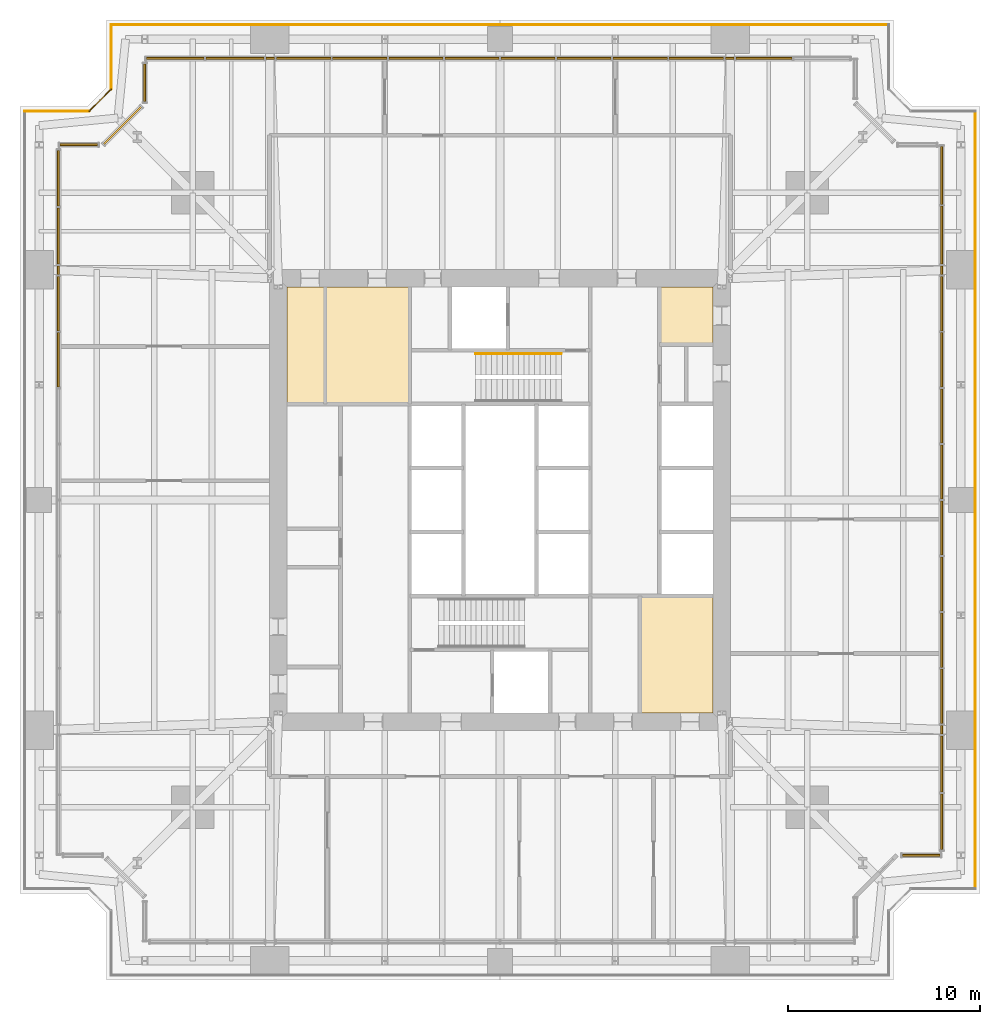
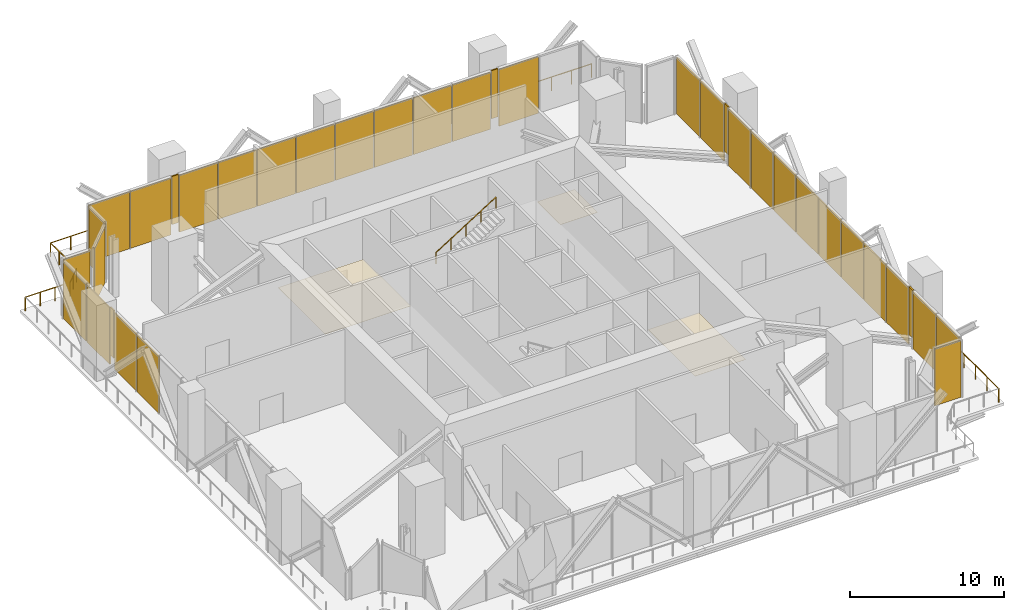
# One storey, part 13 of 14: 36 shading devices, 6 railings, 4 coverings, 12 elements without a shape of their own.
"""IFC4 building model written with IfcOpenShell, lengths in metres."""

from ifc_helpers import new_model, si_unit, direction, frame, origin, origin_2d, place, context, subcontext, project, spatial, polyline, rectangle, circle, outline, extrude, material, layer, layer_set, type_object, element, aggregate, save


model = new_model("IFC4")

# Units and contexts
model_context = context("Model", 3, precision=1e-05, world=origin(), true_north=direction((0.0, 1.0)))
body_context = subcontext(model_context, "Body", "Model", "MODEL_VIEW")
ifc_project = project(units=[si_unit("LENGTHUNIT", "METRE"), si_unit("AREAUNIT", "SQUARE_METRE"), si_unit("VOLUMEUNIT", "CUBIC_METRE"), si_unit("PLANEANGLEUNIT", "RADIAN"), si_unit("MASSUNIT", "GRAM", prefix="KILO")], contexts=[model_context])

# Site, building, storey
site_placement = place(None, origin())
site = spatial("IfcSite", under=ifc_project, at=site_placement, CompositionType="ELEMENT")
building_placement = place(site_placement, origin())
building = spatial("IfcBuilding", under=site, at=building_placement, Name="Fenwick Lantern Interchange", CompositionType="ELEMENT")
storey_placement = place(building_placement, frame((0.0, 0.0, 162.39990234375)))
storey = spatial("IfcBuildingStorey", under=building, at=storey_placement, Name="L38", CompositionType="ELEMENT", Elevation=162.39990234375)

# Railings
ifc_material_1 = material(Name="Stainless steel handrail", Category="steel")
railing_type_1 = type_object("IfcRailingType", Name="HANDRAIL 900", PredefinedType="HANDRAIL", material=ifc_material_1)
railing_1_placement = place(storey_placement, frame((23.719970703125, 32.6259765625, 3.176513671875)))
element("IfcRailing", 1, at=railing_1_placement, inside=storey, type_object=railing_type_1, Name="L38/STAIR/ST2/HR2", PredefinedType="HANDRAIL", context=body_context, shape_type="SweptSolid", body=[
    extrude(circle(Radius=0.02392578125, at=origin_2d()), frame((0.0, 0.0, 0.8759765625), z_axis=(0.845997938375, 0.0, 0.533186166611), x_axis=(0.0, 1.0, 0.0)), (0.0, 0.0, 1.0), 5.29541015625),
    extrude(circle(Radius=0.02099609375, at=origin_2d()), origin(), (0.0, 0.0, 1.0), 0.851806640625),
    extrude(circle(Radius=0.02099609375, at=origin_2d()), frame((1.1201171875, 0.0, 0.705810546875)), (0.0, 0.0, 1.0), 0.851806640625),
    extrude(circle(Radius=0.02099609375, at=origin_2d()), frame((2.239990234375, 0.0, 1.41162109375)), (0.0, 0.0, 1.0), 0.851806640625),
    extrude(circle(Radius=0.02099609375, at=origin_2d()), frame((3.35986328125, 0.0, 2.11767578125)), (0.0, 0.0, 1.0), 0.851806640625),
    extrude(circle(Radius=0.02099609375, at=origin_2d()), frame((4.47998046875, 0.0, 2.823486328125)), (0.0, 0.0, 1.0), 0.851806640625),
])
ifc_material_2 = material(Name="Galvanised steel guard", Category="steel")
railing_type_2 = type_object("IfcRailingType", Name="MAINTENANCE LEDGE GUARD 1100", PredefinedType="GUARDRAIL", material=ifc_material_2)
railing_2_placement = place(storey_placement, frame((49.75, 4.75, 0.0)))
element("IfcRailing", 2, at=railing_2_placement, inside=storey, type_object=railing_type_2, Name="L38/GR/LEDGE05", PredefinedType="GUARDRAIL", context=body_context, shape_type="SweptSolid", body=[
    extrude(circle(Radius=0.02392578125, at=origin_2d()), frame((0.0, 0.0, 1.076171875), z_axis=(0.0, 1.0, 0.0), x_axis=(-1.0, 0.0, 0.0)), (0.0, 0.0, 1.0), 40.5),
    extrude(circle(Radius=0.02099609375, at=origin_2d()), origin(), (0.0, 0.0, 1.0), 1.052001953125),
    extrude(circle(Radius=0.02099609375, at=origin_2d()), frame((0.0, 1.5, 0.0)), (0.0, 0.0, 1.0), 1.052001953125),
    extrude(circle(Radius=0.02099609375, at=origin_2d()), frame((0.0, 3.0, 0.0)), (0.0, 0.0, 1.0), 1.052001953125),
    extrude(circle(Radius=0.02099609375, at=origin_2d()), frame((0.0, 4.5, 0.0)), (0.0, 0.0, 1.0), 1.052001953125),
    extrude(circle(Radius=0.02099609375, at=origin_2d()), frame((0.0, 6.0, 0.0)), (0.0, 0.0, 1.0), 1.052001953125),
    extrude(circle(Radius=0.02099609375, at=origin_2d()), frame((0.0, 7.5, 0.0)), (0.0, 0.0, 1.0), 1.052001953125),
    extrude(circle(Radius=0.02099609375, at=origin_2d()), frame((0.0, 9.0, 0.0)), (0.0, 0.0, 1.0), 1.052001953125),
    extrude(circle(Radius=0.02099609375, at=origin_2d()), frame((0.0, 10.5, 0.0)), (0.0, 0.0, 1.0), 1.052001953125),
    extrude(circle(Radius=0.02099609375, at=origin_2d()), frame((0.0, 12.0, 0.0)), (0.0, 0.0, 1.0), 1.052001953125),
    extrude(circle(Radius=0.02099609375, at=origin_2d()), frame((0.0, 13.5, 0.0)), (0.0, 0.0, 1.0), 1.052001953125),
    extrude(circle(Radius=0.02099609375, at=origin_2d()), frame((0.0, 15.0, 0.0)), (0.0, 0.0, 1.0), 1.052001953125),
    extrude(circle(Radius=0.02099609375, at=origin_2d()), frame((0.0, 16.5, 0.0)), (0.0, 0.0, 1.0), 1.052001953125),
    extrude(circle(Radius=0.02099609375, at=origin_2d()), frame((0.0, 18.0, 0.0)), (0.0, 0.0, 1.0), 1.052001953125),
    extrude(circle(Radius=0.02099609375, at=origin_2d()), frame((0.0, 19.5, 0.0)), (0.0, 0.0, 1.0), 1.052001953125),
    extrude(circle(Radius=0.02099609375, at=origin_2d()), frame((0.0, 21.0, 0.0)), (0.0, 0.0, 1.0), 1.052001953125),
    extrude(circle(Radius=0.02099609375, at=origin_2d()), frame((0.0, 22.5, 0.0)), (0.0, 0.0, 1.0), 1.052001953125),
    extrude(circle(Radius=0.02099609375, at=origin_2d()), frame((0.0, 24.0, 0.0)), (0.0, 0.0, 1.0), 1.052001953125),
    extrude(circle(Radius=0.02099609375, at=origin_2d()), frame((0.0, 25.5, 0.0)), (0.0, 0.0, 1.0), 1.052001953125),
    extrude(circle(Radius=0.02099609375, at=origin_2d()), frame((0.0, 27.0, 0.0)), (0.0, 0.0, 1.0), 1.052001953125),
    extrude(circle(Radius=0.02099609375, at=origin_2d()), frame((0.0, 28.5, 0.0)), (0.0, 0.0, 1.0), 1.052001953125),
    extrude(circle(Radius=0.02099609375, at=origin_2d()), frame((0.0, 30.0, 0.0)), (0.0, 0.0, 1.0), 1.052001953125),
    extrude(circle(Radius=0.02099609375, at=origin_2d()), frame((0.0, 31.5, 0.0)), (0.0, 0.0, 1.0), 1.052001953125),
    extrude(circle(Radius=0.02099609375, at=origin_2d()), frame((0.0, 33.0, 0.0)), (0.0, 0.0, 1.0), 1.052001953125),
    extrude(circle(Radius=0.02099609375, at=origin_2d()), frame((0.0, 34.5, 0.0)), (0.0, 0.0, 1.0), 1.052001953125),
    extrude(circle(Radius=0.02099609375, at=origin_2d()), frame((0.0, 36.0, 0.0)), (0.0, 0.0, 1.0), 1.052001953125),
    extrude(circle(Radius=0.02099609375, at=origin_2d()), frame((0.0, 37.5, 0.0)), (0.0, 0.0, 1.0), 1.052001953125),
    extrude(circle(Radius=0.02099609375, at=origin_2d()), frame((0.0, 39.0, 0.0)), (0.0, 0.0, 1.0), 1.052001953125),
    extrude(circle(Radius=0.02099609375, at=origin_2d()), frame((0.0, 40.5, 0.0)), (0.0, 0.0, 1.0), 1.052001953125),
])
railing_3_placement = place(storey_placement, frame((45.25, 49.75, 0.0)))
element("IfcRailing", 3, at=railing_3_placement, inside=storey, type_object=railing_type_2, Name="L38/GR/LEDGE09", PredefinedType="GUARDRAIL", context=body_context, shape_type="SweptSolid", body=[
    extrude(circle(Radius=0.02392578125, at=origin_2d()), frame((0.0, 0.0, 1.076171875), z_axis=(-1.0, 0.0, 0.0), x_axis=(0.0, -1.0, 0.0)), (0.0, 0.0, 1.0), 40.5),
    extrude(circle(Radius=0.02099609375, at=origin_2d()), origin(), (0.0, 0.0, 1.0), 1.052001953125),
    extrude(circle(Radius=0.02099609375, at=origin_2d()), frame((-1.5, 0.0, 0.0)), (0.0, 0.0, 1.0), 1.052001953125),
    extrude(circle(Radius=0.02099609375, at=origin_2d()), frame((-3.0, 0.0, 0.0)), (0.0, 0.0, 1.0), 1.052001953125),
    extrude(circle(Radius=0.02099609375, at=origin_2d()), frame((-4.5, 0.0, 0.0)), (0.0, 0.0, 1.0), 1.052001953125),
    extrude(circle(Radius=0.02099609375, at=origin_2d()), frame((-6.0, 0.0, 0.0)), (0.0, 0.0, 1.0), 1.052001953125),
    extrude(circle(Radius=0.02099609375, at=origin_2d()), frame((-7.5, 0.0, 0.0)), (0.0, 0.0, 1.0), 1.052001953125),
    extrude(circle(Radius=0.02099609375, at=origin_2d()), frame((-9.0, 0.0, 0.0)), (0.0, 0.0, 1.0), 1.052001953125),
    extrude(circle(Radius=0.02099609375, at=origin_2d()), frame((-10.5, 0.0, 0.0)), (0.0, 0.0, 1.0), 1.052001953125),
    extrude(circle(Radius=0.02099609375, at=origin_2d()), frame((-12.0, 0.0, 0.0)), (0.0, 0.0, 1.0), 1.052001953125),
    extrude(circle(Radius=0.02099609375, at=origin_2d()), frame((-13.5, 0.0, 0.0)), (0.0, 0.0, 1.0), 1.052001953125),
    extrude(circle(Radius=0.02099609375, at=origin_2d()), frame((-15.0, 0.0, 0.0)), (0.0, 0.0, 1.0), 1.052001953125),
    extrude(circle(Radius=0.02099609375, at=origin_2d()), frame((-16.5, 0.0, 0.0)), (0.0, 0.0, 1.0), 1.052001953125),
    extrude(circle(Radius=0.02099609375, at=origin_2d()), frame((-18.0, 0.0, 0.0)), (0.0, 0.0, 1.0), 1.052001953125),
    extrude(circle(Radius=0.02099609375, at=origin_2d()), frame((-19.5, 0.0, 0.0)), (0.0, 0.0, 1.0), 1.052001953125),
    extrude(circle(Radius=0.02099609375, at=origin_2d()), frame((-21.0, 0.0, 0.0)), (0.0, 0.0, 1.0), 1.052001953125),
    extrude(circle(Radius=0.02099609375, at=origin_2d()), frame((-22.5, 0.0, 0.0)), (0.0, 0.0, 1.0), 1.052001953125),
    extrude(circle(Radius=0.02099609375, at=origin_2d()), frame((-24.0, 0.0, 0.0)), (0.0, 0.0, 1.0), 1.052001953125),
    extrude(circle(Radius=0.02099609375, at=origin_2d()), frame((-25.5, 0.0, 0.0)), (0.0, 0.0, 1.0), 1.052001953125),
    extrude(circle(Radius=0.02099609375, at=origin_2d()), frame((-27.0, 0.0, 0.0)), (0.0, 0.0, 1.0), 1.052001953125),
    extrude(circle(Radius=0.02099609375, at=origin_2d()), frame((-28.5, 0.0, 0.0)), (0.0, 0.0, 1.0), 1.052001953125),
    extrude(circle(Radius=0.02099609375, at=origin_2d()), frame((-30.0, 0.0, 0.0)), (0.0, 0.0, 1.0), 1.052001953125),
    extrude(circle(Radius=0.02099609375, at=origin_2d()), frame((-31.5, 0.0, 0.0)), (0.0, 0.0, 1.0), 1.052001953125),
    extrude(circle(Radius=0.02099609375, at=origin_2d()), frame((-33.0, 0.0, 0.0)), (0.0, 0.0, 1.0), 1.052001953125),
    extrude(circle(Radius=0.02099609375, at=origin_2d()), frame((-34.5, 0.0, 0.0)), (0.0, 0.0, 1.0), 1.052001953125),
    extrude(circle(Radius=0.02099609375, at=origin_2d()), frame((-36.0, 0.0, 0.0)), (0.0, 0.0, 1.0), 1.052001953125),
    extrude(circle(Radius=0.02099609375, at=origin_2d()), frame((-37.5, 0.0, 0.0)), (0.0, 0.0, 1.0), 1.052001953125),
    extrude(circle(Radius=0.02099609375, at=origin_2d()), frame((-39.0, 0.0, 0.0)), (0.0, 0.0, 1.0), 1.052001953125),
    extrude(circle(Radius=0.02099609375, at=origin_2d()), frame((-40.5, 0.0, 0.0)), (0.0, 0.0, 1.0), 1.052001953125),
])
railing_4_placement = place(storey_placement, frame((4.75, 49.75, 0.0)))
element("IfcRailing", 4, at=railing_4_placement, inside=storey, type_object=railing_type_2, Name="L38/GR/LEDGE10", PredefinedType="GUARDRAIL", context=body_context, shape_type="SweptSolid", body=[
    extrude(circle(Radius=0.02392578125, at=origin_2d()), frame((0.0, 0.0, 1.076171875), z_axis=(0.0, -1.0, 0.0), x_axis=(1.0, 0.0, 0.0)), (0.0, 0.0, 1.0), 3.353515625),
    extrude(circle(Radius=0.02099609375, at=origin_2d()), origin(), (0.0, 0.0, 1.0), 1.052001953125),
    extrude(circle(Radius=0.02099609375, at=origin_2d()), frame((0.0, -1.117919921875, 0.0)), (0.0, 0.0, 1.0), 1.052001953125),
    extrude(circle(Radius=0.02099609375, at=origin_2d()), frame((0.0, -2.235595703125, 0.0)), (0.0, 0.0, 1.0), 1.052001953125),
    extrude(circle(Radius=0.02099609375, at=origin_2d()), frame((0.0, -3.353515625, 0.0)), (0.0, 0.0, 1.0), 1.052001953125),
])
railing_5_placement = place(storey_placement, frame((4.75, 46.396484375, 0.0)))
element("IfcRailing", 5, at=railing_5_placement, inside=storey, type_object=railing_type_2, Name="L38/GR/LEDGE11", PredefinedType="GUARDRAIL", context=body_context, shape_type="SweptSolid", body=[
    extrude(circle(Radius=0.02392578125, at=origin_2d()), frame((0.0, 0.0, 1.076171875), z_axis=(-0.707106781187, -0.707106781187, 0.0), x_axis=(0.707106781187, -0.707106781187, 0.0)), (0.0, 0.0, 1.0), 1.621337890625),
    extrude(circle(Radius=0.02099609375, at=origin_2d()), origin(), (0.0, 0.0, 1.0), 1.052001953125),
    extrude(circle(Radius=0.02099609375, at=origin_2d()), frame((-0.5732421875, -0.5732421875, 0.0)), (0.0, 0.0, 1.0), 1.052001953125),
    extrude(circle(Radius=0.02099609375, at=origin_2d()), frame((-1.146484375, -1.146484375, 0.0)), (0.0, 0.0, 1.0), 1.052001953125),
])
railing_6_placement = place(storey_placement, frame((3.603515625, 45.25, 0.0)))
element("IfcRailing", 6, at=railing_6_placement, inside=storey, type_object=railing_type_2, Name="L38/GR/LEDGE12", PredefinedType="GUARDRAIL", context=body_context, shape_type="SweptSolid", body=[
    extrude(circle(Radius=0.02392578125, at=origin_2d()), frame((0.0, 0.0, 1.076171875), z_axis=(-1.0, 0.0, 0.0), x_axis=(0.0, -1.0, 0.0)), (0.0, 0.0, 1.0), 3.353515625),
    extrude(circle(Radius=0.02099609375, at=origin_2d()), origin(), (0.0, 0.0, 1.0), 1.052001953125),
    extrude(circle(Radius=0.02099609375, at=origin_2d()), frame((-1.117919921875, 0.0, 0.0)), (0.0, 0.0, 1.0), 1.052001953125),
    extrude(circle(Radius=0.02099609375, at=origin_2d()), frame((-2.235595703125, 0.0, 0.0)), (0.0, 0.0, 1.0), 1.052001953125),
    extrude(circle(Radius=0.02099609375, at=origin_2d()), frame((-3.353515625, 0.0, 0.0)), (0.0, 0.0, 1.0), 1.052001953125),
])

# Coverings
ifc_material_3 = material(Name="Moisture resistant gypsum board on suspended frame, painted")
ifc_layer_1 = layer(ifc_material_3, 0.014892578125)
ifc_layer_set_1 = layer_set([ifc_layer_1], Name="MOISTURE RESISTANT CEILING 15")
covering_type = type_object("IfcCoveringType", Name="MOISTURE RESISTANT CEILING 15", PredefinedType="CEILING", material=ifc_layer_set_1)
covering_1_placement = place(storey_placement, frame((0.0, 0.0, 2.60009765625)))
element("IfcCovering", 7, at=covering_1_placement, inside=storey, type_object=covering_type, Name="Women's WC ceiling", PredefinedType="CEILING", context=body_context, shape_type="SweptSolid", body=[
    extrude(outline(polyline([(32.300048828125, 13.89990234375), (36.10009765625, 13.89990234375), (36.10009765625, 20.0), (32.300048828125, 20.0), (32.300048828125, 13.89990234375)])), origin(), (0.0, 0.0, 1.0), 0.014892578125),
])
covering_2_placement = place(storey_placement, frame((0.0, 0.0, 2.60009765625)))
element("IfcCovering", 8, at=covering_2_placement, inside=storey, type_object=covering_type, Name="Women's WC ceiling", PredefinedType="CEILING", context=body_context, shape_type="SweptSolid", body=[
    extrude(outline(polyline([(20.300048828125, 36.10009765625), (15.89990234375, 36.10009765625), (15.89990234375, 30.0), (20.300048828125, 30.0), (20.300048828125, 36.10009765625)])), origin(), (0.0, 0.0, 1.0), 0.014892578125),
])
covering_3_placement = place(storey_placement, frame((0.0, 0.0, 2.60009765625)))
element("IfcCovering", 9, at=covering_3_placement, inside=storey, type_object=covering_type, Name="Men's WC ceiling", PredefinedType="CEILING", context=body_context, shape_type="SweptSolid", body=[
    extrude(outline(polyline([(15.89990234375, 36.10009765625), (13.89990234375, 36.10009765625), (13.89990234375, 30.0), (15.89990234375, 30.0), (15.89990234375, 36.10009765625)])), origin(), (0.0, 0.0, 1.0), 0.014892578125),
])
covering_4_placement = place(storey_placement, frame((0.0, 0.0, 2.60009765625)))
element("IfcCovering", 10, at=covering_4_placement, inside=storey, type_object=covering_type, Name="Accessible WC ceiling", PredefinedType="CEILING", context=body_context, shape_type="SweptSolid", body=[
    extrude(outline(polyline([(36.10009765625, 36.10009765625), (33.300048828125, 36.10009765625), (33.300048828125, 33.10009765625), (36.10009765625, 33.10009765625), (36.10009765625, 36.10009765625)])), origin(), (0.0, 0.0, 1.0), 0.014892578125),
])

# Curtain wall, shading device
ifc_material_4 = material(Name="Aluminium curtain wall frame", Category="aluminium")
curtain_wall_type = type_object("IfcCurtainWallType", Name="PLANT LOUVRE SCREEN", PredefinedType="USERDEFINED", material=ifc_material_4)
curtain_wall_1_placement = place(storey_placement, origin())
curtain_wall_1 = element("IfcCurtainWall", 11, at=curtain_wall_1_placement, inside=storey, type_object=curtain_wall_type, Name="Plant louvre screen 03", ObjectType="PLANT LOUVRE SCREEN", PredefinedType="USERDEFINED")
ifc_material_5 = material(Name="Louvre panel, anodised aluminium blades", Category="aluminium")
ifc_layer_2 = layer(ifc_material_5, 0.10009765625)
ifc_layer_set_2 = layer_set([ifc_layer_2], Name="PLANT LOUVRE SCREEN PANEL 100")
shading_device_type = type_object("IfcShadingDeviceType", Name="PLANT LOUVRE SCREEN PANEL 100", PredefinedType="SHUTTER", material=ifc_layer_set_2)
shading_device_1_placement = place(storey_placement, frame((46.935791015625, 6.5, 0.0), z_axis=(0.0, 0.0, 1.0), x_axis=(1.0, 0.0, 0.0)))
shading_device_1 = element("IfcShadingDevice", 12, at=shading_device_1_placement, type_object=shading_device_type, Name="L38/CW/03/P00", PredefinedType="SHUTTER", context=body_context, shape_type="SweptSolid", body=[
    extrude(rectangle(XDim=1.978515625, YDim=0.10009765625, at=origin_2d()), origin(), (0.0, 0.0, 1.0), 4.47998046875),
])
aggregate(curtain_wall_1, [shading_device_1])

# Curtain wall, shading devices
curtain_wall_2_placement = place(storey_placement, origin())
curtain_wall_2 = element("IfcCurtainWall", 13, at=curtain_wall_2_placement, inside=storey, type_object=curtain_wall_type, Name="Plant louvre screen 04A", ObjectType="PLANT LOUVRE SCREEN", PredefinedType="USERDEFINED")
shading_device_2_placement = place(storey_placement, frame((48.0, 8.24267578125, 0.0), z_axis=(0.0, 0.0, 1.0), x_axis=(0.0, 1.0, 0.0)))
shading_device_2 = element("IfcShadingDevice", 14, at=shading_device_2_placement, type_object=shading_device_type, Name="L38/CW/04A/P00", PredefinedType="SHUTTER", context=body_context, shape_type="SweptSolid", body=[
    extrude(rectangle(XDim=2.93505859375, YDim=0.10009765625, at=origin_2d()), origin(), (0.0, 0.0, 1.0), 4.47998046875),
])
shading_device_3_placement = place(storey_placement, frame((48.0, 11.252685546875, 0.0), z_axis=(0.0, 0.0, 1.0), x_axis=(0.0, 1.0, 0.0)))
shading_device_3 = element("IfcShadingDevice", 15, at=shading_device_3_placement, type_object=shading_device_type, Name="L38/CW/04A/P01", PredefinedType="SHUTTER", context=body_context, shape_type="SweptSolid", body=[
    extrude(rectangle(XDim=2.93505859375, YDim=0.10009765625, at=origin_2d()), origin(), (0.0, 0.0, 1.0), 4.47998046875),
])
aggregate(curtain_wall_2, [shading_device_2, shading_device_3])

curtain_wall_3_placement = place(storey_placement, origin())
curtain_wall_3 = element("IfcCurtainWall", 16, at=curtain_wall_3_placement, inside=storey, type_object=curtain_wall_type, Name="Plant louvre screen 04B", ObjectType="PLANT LOUVRE SCREEN", PredefinedType="USERDEFINED")
shading_device_4_placement = place(storey_placement, frame((48.0, 14.777587890625, 0.0), z_axis=(0.0, 0.0, 1.0), x_axis=(0.0, 1.0, 0.0)))
shading_device_4 = element("IfcShadingDevice", 17, at=shading_device_4_placement, type_object=shading_device_type, Name="L38/CW/04B/P00", PredefinedType="SHUTTER", context=body_context, shape_type="SweptSolid", body=[
    extrude(rectangle(XDim=2.845703125, YDim=0.10009765625, at=origin_2d()), origin(), (0.0, 0.0, 1.0), 4.47998046875),
])
shading_device_5_placement = place(storey_placement, frame((48.0, 17.6982421875, 0.0), z_axis=(0.0, 0.0, 1.0), x_axis=(0.0, 1.0, 0.0)))
shading_device_5 = element("IfcShadingDevice", 18, at=shading_device_5_placement, type_object=shading_device_type, Name="L38/CW/04B/P01", PredefinedType="SHUTTER", context=body_context, shape_type="SweptSolid", body=[
    extrude(rectangle(XDim=2.845703125, YDim=0.10009765625, at=origin_2d()), origin(), (0.0, 0.0, 1.0), 4.47998046875),
])
shading_device_6_placement = place(storey_placement, frame((48.0, 20.618896484375, 0.0), z_axis=(0.0, 0.0, 1.0), x_axis=(0.0, 1.0, 0.0)))
shading_device_6 = element("IfcShadingDevice", 19, at=shading_device_6_placement, type_object=shading_device_type, Name="L38/CW/04B/P02", PredefinedType="SHUTTER", context=body_context, shape_type="SweptSolid", body=[
    extrude(rectangle(XDim=2.845703125, YDim=0.10009765625, at=origin_2d()), origin(), (0.0, 0.0, 1.0), 4.47998046875),
])
shading_device_7_placement = place(storey_placement, frame((48.0, 23.53955078125, 0.0), z_axis=(0.0, 0.0, 1.0), x_axis=(0.0, 1.0, 0.0)))
shading_device_7 = element("IfcShadingDevice", 20, at=shading_device_7_placement, type_object=shading_device_type, Name="L38/CW/04B/P03", PredefinedType="SHUTTER", context=body_context, shape_type="SweptSolid", body=[
    extrude(rectangle(XDim=2.845703125, YDim=0.10009765625, at=origin_2d()), origin(), (0.0, 0.0, 1.0), 4.47998046875),
])
shading_device_8_placement = place(storey_placement, frame((48.0, 26.46044921875, 0.0), z_axis=(0.0, 0.0, 1.0), x_axis=(0.0, 1.0, 0.0)))
shading_device_8 = element("IfcShadingDevice", 21, at=shading_device_8_placement, type_object=shading_device_type, Name="L38/CW/04B/P04", PredefinedType="SHUTTER", context=body_context, shape_type="SweptSolid", body=[
    extrude(rectangle(XDim=2.845703125, YDim=0.10009765625, at=origin_2d()), origin(), (0.0, 0.0, 1.0), 4.47998046875),
])
shading_device_9_placement = place(storey_placement, frame((48.0, 29.381103515625, 0.0), z_axis=(0.0, 0.0, 1.0), x_axis=(0.0, 1.0, 0.0)))
shading_device_9 = element("IfcShadingDevice", 22, at=shading_device_9_placement, type_object=shading_device_type, Name="L38/CW/04B/P05", PredefinedType="SHUTTER", context=body_context, shape_type="SweptSolid", body=[
    extrude(rectangle(XDim=2.845703125, YDim=0.10009765625, at=origin_2d()), origin(), (0.0, 0.0, 1.0), 4.47998046875),
])
shading_device_10_placement = place(storey_placement, frame((48.0, 32.3017578125, 0.0), z_axis=(0.0, 0.0, 1.0), x_axis=(0.0, 1.0, 0.0)))
shading_device_10 = element("IfcShadingDevice", 23, at=shading_device_10_placement, type_object=shading_device_type, Name="L38/CW/04B/P06", PredefinedType="SHUTTER", context=body_context, shape_type="SweptSolid", body=[
    extrude(rectangle(XDim=2.845703125, YDim=0.10009765625, at=origin_2d()), origin(), (0.0, 0.0, 1.0), 4.47998046875),
])
shading_device_11_placement = place(storey_placement, frame((48.0, 35.222412109375, 0.0), z_axis=(0.0, 0.0, 1.0), x_axis=(0.0, 1.0, 0.0)))
shading_device_11 = element("IfcShadingDevice", 24, at=shading_device_11_placement, type_object=shading_device_type, Name="L38/CW/04B/P07", PredefinedType="SHUTTER", context=body_context, shape_type="SweptSolid", body=[
    extrude(rectangle(XDim=2.845703125, YDim=0.10009765625, at=origin_2d()), origin(), (0.0, 0.0, 1.0), 4.47998046875),
])
aggregate(curtain_wall_3, [shading_device_4, shading_device_5, shading_device_6, shading_device_7, shading_device_8, shading_device_9, shading_device_10, shading_device_11])

curtain_wall_4_placement = place(storey_placement, origin())
curtain_wall_4 = element("IfcCurtainWall", 25, at=curtain_wall_4_placement, inside=storey, type_object=curtain_wall_type, Name="Plant louvre screen 04C", ObjectType="PLANT LOUVRE SCREEN", PredefinedType="USERDEFINED")
shading_device_12_placement = place(storey_placement, frame((48.0, 38.79736328125, 0.0), z_axis=(0.0, 0.0, 1.0), x_axis=(0.0, 1.0, 0.0)))
shading_device_12 = element("IfcShadingDevice", 26, at=shading_device_12_placement, type_object=shading_device_type, Name="L38/CW/04C/P00", PredefinedType="SHUTTER", context=body_context, shape_type="SweptSolid", body=[
    extrude(rectangle(XDim=3.03515625, YDim=0.10009765625, at=origin_2d()), origin(), (0.0, 0.0, 1.0), 4.47998046875),
])
shading_device_13_placement = place(storey_placement, frame((48.0, 41.907470703125, 0.0), z_axis=(0.0, 0.0, 1.0), x_axis=(0.0, 1.0, 0.0)))
shading_device_13 = element("IfcShadingDevice", 27, at=shading_device_13_placement, type_object=shading_device_type, Name="L38/CW/04C/P01", PredefinedType="SHUTTER", context=body_context, shape_type="SweptSolid", body=[
    extrude(rectangle(XDim=3.03515625, YDim=0.10009765625, at=origin_2d()), origin(), (0.0, 0.0, 1.0), 4.47998046875),
])
aggregate(curtain_wall_4, [shading_device_12, shading_device_13])

# Shading devices
for number, where, z_axis, x_axis, name in (
    (28, (48.0, 13.03759765625, 0.8193359375), (0.0, 0.0, 1.0), (0.0, 1.0, 0.0), "Louvre screen infill 04-1"),
    (29, (48.0, 36.96240234375, 0.8193359375), (0.0, 0.0, 1.0), (0.0, 1.0, 0.0), "Louvre screen infill 04-2"),
):
    element("IfcShadingDevice", number, at=place(storey_placement, frame(where, z_axis=z_axis, x_axis=x_axis)), inside=storey, type_object=shading_device_type, Name=name, PredefinedType="SHUTTER", context=body_context, shape_type="SweptSolid", body=[
        extrude(rectangle(XDim=0.484375, YDim=0.10009765625, at=origin_2d()), origin(), (0.0, 0.0, 1.0), 3.78076171875),
    ])

# Curtain wall, shading device
curtain_wall_5_placement = place(storey_placement, origin())
curtain_wall_5 = element("IfcCurtainWall", 30, at=curtain_wall_5_placement, inside=storey, type_object=curtain_wall_type, Name="Plant louvre screen 08A", ObjectType="PLANT LOUVRE SCREEN", PredefinedType="USERDEFINED")
shading_device_14_placement = place(storey_placement, frame((38.7490234375, 48.0, 0.0), z_axis=(0.0, 0.0, 1.0), x_axis=(-1.0, 0.0, 0.0)))
shading_device_14 = element("IfcShadingDevice", 31, at=shading_device_14_placement, type_object=shading_device_type, Name="L38/CW/08A/P01", PredefinedType="SHUTTER", context=body_context, shape_type="SweptSolid", body=[
    extrude(rectangle(XDim=2.93408203125, YDim=0.10009765625, at=origin_2d()), origin(), (0.0, 0.0, 1.0), 4.47998046875),
])
aggregate(curtain_wall_5, [shading_device_14])

# Curtain wall, shading devices
curtain_wall_6_placement = place(storey_placement, origin())
curtain_wall_6 = element("IfcCurtainWall", 32, at=curtain_wall_6_placement, inside=storey, type_object=curtain_wall_type, Name="Plant louvre screen 08B", ObjectType="PLANT LOUVRE SCREEN", PredefinedType="USERDEFINED")
shading_device_15_placement = place(storey_placement, frame((35.22509765625, 48.0, 0.0), z_axis=(0.0, 0.0, 1.0), x_axis=(-1.0, 0.0, 0.0)))
shading_device_15 = element("IfcShadingDevice", 33, at=shading_device_15_placement, type_object=shading_device_type, Name="L38/CW/08B/P00", PredefinedType="SHUTTER", context=body_context, shape_type="SweptSolid", body=[
    extrude(rectangle(XDim=2.846435546875, YDim=0.10009765625, at=origin_2d()), origin(), (0.0, 0.0, 1.0), 4.47998046875),
])
shading_device_16_placement = place(storey_placement, frame((32.3037109375, 48.0, 0.0), z_axis=(0.0, 0.0, 1.0), x_axis=(-1.0, 0.0, 0.0)))
shading_device_16 = element("IfcShadingDevice", 34, at=shading_device_16_placement, type_object=shading_device_type, Name="L38/CW/08B/P01", PredefinedType="SHUTTER", context=body_context, shape_type="SweptSolid", body=[
    extrude(rectangle(XDim=2.846435546875, YDim=0.10009765625, at=origin_2d()), origin(), (0.0, 0.0, 1.0), 4.47998046875),
])
shading_device_17_placement = place(storey_placement, frame((29.382080078125, 48.0, 0.0), z_axis=(0.0, 0.0, 1.0), x_axis=(-1.0, 0.0, 0.0)))
shading_device_17 = element("IfcShadingDevice", 35, at=shading_device_17_placement, type_object=shading_device_type, Name="L38/CW/08B/P02", PredefinedType="SHUTTER", context=body_context, shape_type="SweptSolid", body=[
    extrude(rectangle(XDim=2.846435546875, YDim=0.10009765625, at=origin_2d()), origin(), (0.0, 0.0, 1.0), 4.47998046875),
])
shading_device_18_placement = place(storey_placement, frame((26.460693359375, 48.0, 0.0), z_axis=(0.0, 0.0, 1.0), x_axis=(-1.0, 0.0, 0.0)))
shading_device_18 = element("IfcShadingDevice", 36, at=shading_device_18_placement, type_object=shading_device_type, Name="L38/CW/08B/P03", PredefinedType="SHUTTER", context=body_context, shape_type="SweptSolid", body=[
    extrude(rectangle(XDim=2.846435546875, YDim=0.10009765625, at=origin_2d()), origin(), (0.0, 0.0, 1.0), 4.47998046875),
])
shading_device_19_placement = place(storey_placement, frame((23.539306640625, 48.0, 0.0), z_axis=(0.0, 0.0, 1.0), x_axis=(-1.0, 0.0, 0.0)))
shading_device_19 = element("IfcShadingDevice", 37, at=shading_device_19_placement, type_object=shading_device_type, Name="L38/CW/08B/P04", PredefinedType="SHUTTER", context=body_context, shape_type="SweptSolid", body=[
    extrude(rectangle(XDim=2.846435546875, YDim=0.10009765625, at=origin_2d()), origin(), (0.0, 0.0, 1.0), 4.47998046875),
])
shading_device_20_placement = place(storey_placement, frame((20.617919921875, 48.0, 0.0), z_axis=(0.0, 0.0, 1.0), x_axis=(-1.0, 0.0, 0.0)))
shading_device_20 = element("IfcShadingDevice", 38, at=shading_device_20_placement, type_object=shading_device_type, Name="L38/CW/08B/P05", PredefinedType="SHUTTER", context=body_context, shape_type="SweptSolid", body=[
    extrude(rectangle(XDim=2.846435546875, YDim=0.10009765625, at=origin_2d()), origin(), (0.0, 0.0, 1.0), 4.47998046875),
])
shading_device_21_placement = place(storey_placement, frame((17.6962890625, 48.0, 0.0), z_axis=(0.0, 0.0, 1.0), x_axis=(-1.0, 0.0, 0.0)))
shading_device_21 = element("IfcShadingDevice", 39, at=shading_device_21_placement, type_object=shading_device_type, Name="L38/CW/08B/P06", PredefinedType="SHUTTER", context=body_context, shape_type="SweptSolid", body=[
    extrude(rectangle(XDim=2.846435546875, YDim=0.10009765625, at=origin_2d()), origin(), (0.0, 0.0, 1.0), 4.47998046875),
])
shading_device_22_placement = place(storey_placement, frame((14.77490234375, 48.0, 0.0), z_axis=(0.0, 0.0, 1.0), x_axis=(-1.0, 0.0, 0.0)))
shading_device_22 = element("IfcShadingDevice", 40, at=shading_device_22_placement, type_object=shading_device_type, Name="L38/CW/08B/P07", PredefinedType="SHUTTER", context=body_context, shape_type="SweptSolid", body=[
    extrude(rectangle(XDim=2.846435546875, YDim=0.10009765625, at=origin_2d()), origin(), (0.0, 0.0, 1.0), 4.47998046875),
])
aggregate(curtain_wall_6, [shading_device_15, shading_device_16, shading_device_17, shading_device_18, shading_device_19, shading_device_20, shading_device_21, shading_device_22])

curtain_wall_7_placement = place(storey_placement, origin())
curtain_wall_7 = element("IfcCurtainWall", 41, at=curtain_wall_7_placement, inside=storey, type_object=curtain_wall_type, Name="Plant louvre screen 08C", ObjectType="PLANT LOUVRE SCREEN", PredefinedType="USERDEFINED")
shading_device_23_placement = place(storey_placement, frame((11.200927734375, 48.0, 0.0), z_axis=(0.0, 0.0, 1.0), x_axis=(-1.0, 0.0, 0.0)))
shading_device_23 = element("IfcShadingDevice", 42, at=shading_device_23_placement, type_object=shading_device_type, Name="L38/CW/08C/P00", PredefinedType="SHUTTER", context=body_context, shape_type="SweptSolid", body=[
    extrude(rectangle(XDim=3.033935546875, YDim=0.10009765625, at=origin_2d()), origin(), (0.0, 0.0, 1.0), 4.47998046875),
])
shading_device_24_placement = place(storey_placement, frame((8.092041015625, 48.0, 0.0), z_axis=(0.0, 0.0, 1.0), x_axis=(-1.0, 0.0, 0.0)))
shading_device_24 = element("IfcShadingDevice", 43, at=shading_device_24_placement, type_object=shading_device_type, Name="L38/CW/08C/P01", PredefinedType="SHUTTER", context=body_context, shape_type="SweptSolid", body=[
    extrude(rectangle(XDim=3.033935546875, YDim=0.10009765625, at=origin_2d()), origin(), (0.0, 0.0, 1.0), 4.47998046875),
])
aggregate(curtain_wall_7, [shading_device_23, shading_device_24])

# Shading devices
for number, where, z_axis, x_axis, name in (
    (44, (36.965087890625, 48.0, 0.783203125), (0.0, 0.0, 1.0), (-1.0, 0.0, 0.0), "Louvre screen infill 08-1"),
    (45, (13.034912109375, 48.0, 0.783203125), (0.0, 0.0, 1.0), (-1.0, 0.0, 0.0), "Louvre screen infill 08-2"),
):
    element("IfcShadingDevice", number, at=place(storey_placement, frame(where, z_axis=z_axis, x_axis=x_axis)), inside=storey, type_object=shading_device_type, Name=name, PredefinedType="SHUTTER", context=body_context, shape_type="SweptSolid", body=[
        extrude(rectangle(XDim=0.483642578125, YDim=0.10009765625, at=origin_2d()), origin(), (0.0, 0.0, 1.0), 3.816650390625),
    ])

# Curtain wall, shading device
curtain_wall_8_placement = place(storey_placement, origin())
curtain_wall_8 = element("IfcCurtainWall", 46, at=curtain_wall_8_placement, inside=storey, type_object=curtain_wall_type, Name="Plant louvre screen 09", ObjectType="PLANT LOUVRE SCREEN", PredefinedType="USERDEFINED")
shading_device_25_placement = place(storey_placement, frame((6.5, 46.73583984375, 0.0), z_axis=(0.0, 0.0, 1.0), x_axis=(0.0, -1.0, 0.0)))
shading_device_25 = element("IfcShadingDevice", 47, at=shading_device_25_placement, type_object=shading_device_type, Name="L38/CW/09/P00", PredefinedType="SHUTTER", context=body_context, shape_type="SweptSolid", body=[
    extrude(rectangle(XDim=1.978515625, YDim=0.10009765625, at=origin_2d()), origin(), (0.0, 0.0, 1.0), 4.47998046875),
])
aggregate(curtain_wall_8, [shading_device_25])

curtain_wall_9_placement = place(storey_placement, origin())
curtain_wall_9 = element("IfcCurtainWall", 48, at=curtain_wall_9_placement, inside=storey, type_object=curtain_wall_type, Name="Plant louvre screen 10", ObjectType="PLANT LOUVRE SCREEN", PredefinedType="USERDEFINED")
shading_device_26_placement = place(storey_placement, frame((5.343505859375, 44.51513671875, 0.0), z_axis=(0.0, 0.0, 1.0), x_axis=(-0.707106781187, -0.707106781187, 0.0)))
shading_device_26 = element("IfcShadingDevice", 49, at=shading_device_26_placement, type_object=shading_device_type, Name="L38/CW/10/P00", PredefinedType="SHUTTER", context=body_context, shape_type="SweptSolid", body=[
    extrude(rectangle(XDim=2.720947265625, YDim=0.10009765625, at=origin_2d()), origin(), (0.0, 0.0, 1.0), 4.47998046875),
])
aggregate(curtain_wall_9, [shading_device_26])

curtain_wall_10_placement = place(storey_placement, origin())
curtain_wall_10 = element("IfcCurtainWall", 50, at=curtain_wall_10_placement, inside=storey, type_object=curtain_wall_type, Name="Plant louvre screen 11", ObjectType="PLANT LOUVRE SCREEN", PredefinedType="USERDEFINED")
shading_device_27_placement = place(storey_placement, frame((3.064208984375, 43.5, 0.0), z_axis=(0.0, 0.0, 1.0), x_axis=(-1.0, 0.0, 0.0)))
shading_device_27 = element("IfcShadingDevice", 51, at=shading_device_27_placement, type_object=shading_device_type, Name="L38/CW/11/P00", PredefinedType="SHUTTER", context=body_context, shape_type="SweptSolid", body=[
    extrude(rectangle(XDim=1.978515625, YDim=0.10009765625, at=origin_2d()), origin(), (0.0, 0.0, 1.0), 4.47998046875),
])
aggregate(curtain_wall_10, [shading_device_27])

# Curtain wall, shading devices
curtain_wall_11_placement = place(storey_placement, origin())
curtain_wall_11 = element("IfcCurtainWall", 52, at=curtain_wall_11_placement, inside=storey, type_object=curtain_wall_type, Name="Plant louvre screen 12A", ObjectType="PLANT LOUVRE SCREEN", PredefinedType="USERDEFINED")
shading_device_28_placement = place(storey_placement, frame((2.0, 41.75732421875, 0.0), z_axis=(0.0, 0.0, 1.0), x_axis=(0.0, -1.0, 0.0)))
shading_device_28 = element("IfcShadingDevice", 53, at=shading_device_28_placement, type_object=shading_device_type, Name="L38/CW/12A/P00", PredefinedType="SHUTTER", context=body_context, shape_type="SweptSolid", body=[
    extrude(rectangle(XDim=2.93505859375, YDim=0.10009765625, at=origin_2d()), origin(), (0.0, 0.0, 1.0), 4.47998046875),
])
shading_device_29_placement = place(storey_placement, frame((2.0, 38.747314453125, 0.0), z_axis=(0.0, 0.0, 1.0), x_axis=(0.0, -1.0, 0.0)))
shading_device_29 = element("IfcShadingDevice", 54, at=shading_device_29_placement, type_object=shading_device_type, Name="L38/CW/12A/P01", PredefinedType="SHUTTER", context=body_context, shape_type="SweptSolid", body=[
    extrude(rectangle(XDim=2.93505859375, YDim=0.10009765625, at=origin_2d()), origin(), (0.0, 0.0, 1.0), 4.47998046875),
])
aggregate(curtain_wall_11, [shading_device_28, shading_device_29])

curtain_wall_12_placement = place(storey_placement, origin())
curtain_wall_12 = element("IfcCurtainWall", 55, at=curtain_wall_12_placement, inside=storey, type_object=curtain_wall_type, Name="Plant louvre screen 12B", ObjectType="PLANT LOUVRE SCREEN", PredefinedType="USERDEFINED")
shading_device_30_placement = place(storey_placement, frame((2.0, 35.222412109375, 0.0), z_axis=(0.0, 0.0, 1.0), x_axis=(0.0, -1.0, 0.0)))
shading_device_30 = element("IfcShadingDevice", 56, at=shading_device_30_placement, type_object=shading_device_type, Name="L38/CW/12B/P00", PredefinedType="SHUTTER", context=body_context, shape_type="SweptSolid", body=[
    extrude(rectangle(XDim=2.845703125, YDim=0.10009765625, at=origin_2d()), origin(), (0.0, 0.0, 1.0), 4.47998046875),
])
shading_device_31_placement = place(storey_placement, frame((2.0, 32.3017578125, 0.0), z_axis=(0.0, 0.0, 1.0), x_axis=(0.0, -1.0, 0.0)))
shading_device_31 = element("IfcShadingDevice", 57, at=shading_device_31_placement, type_object=shading_device_type, Name="L38/CW/12B/P01", PredefinedType="SHUTTER", context=body_context, shape_type="SweptSolid", body=[
    extrude(rectangle(XDim=2.845703125, YDim=0.10009765625, at=origin_2d()), origin(), (0.0, 0.0, 1.0), 4.47998046875),
])
aggregate(curtain_wall_12, [shading_device_30, shading_device_31])

# Shading device
shading_device_32_placement = place(storey_placement, frame((2.0, 36.96240234375, 0.8193359375), z_axis=(0.0, 0.0, 1.0), x_axis=(0.0, -1.0, 0.0)))
element("IfcShadingDevice", 58, at=shading_device_32_placement, inside=storey, type_object=shading_device_type, Name="Louvre screen infill 12-1", PredefinedType="SHUTTER", context=body_context, shape_type="SweptSolid", body=[
    extrude(rectangle(XDim=0.484375, YDim=0.10009765625, at=origin_2d()), origin(), (0.0, 0.0, 1.0), 3.78076171875),
])

save(model, "model.ifc")
